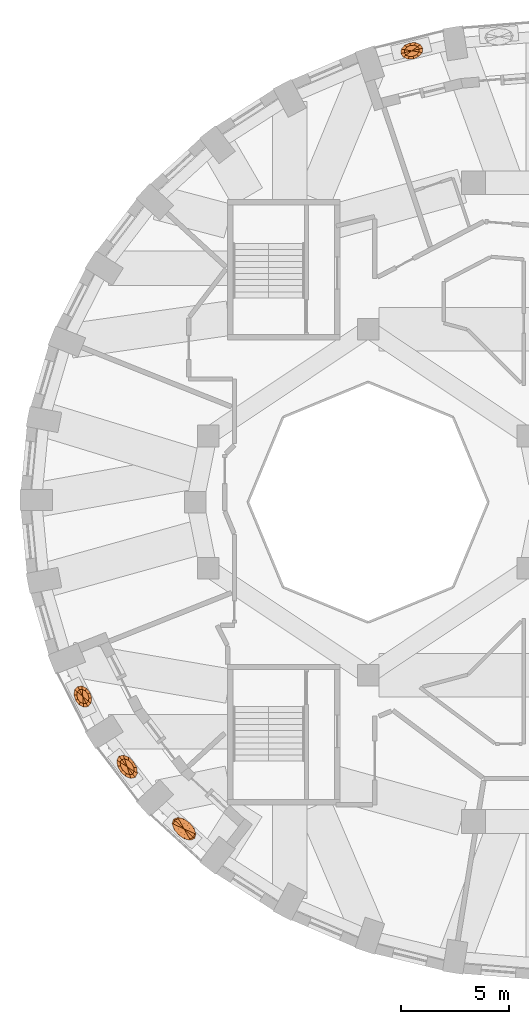
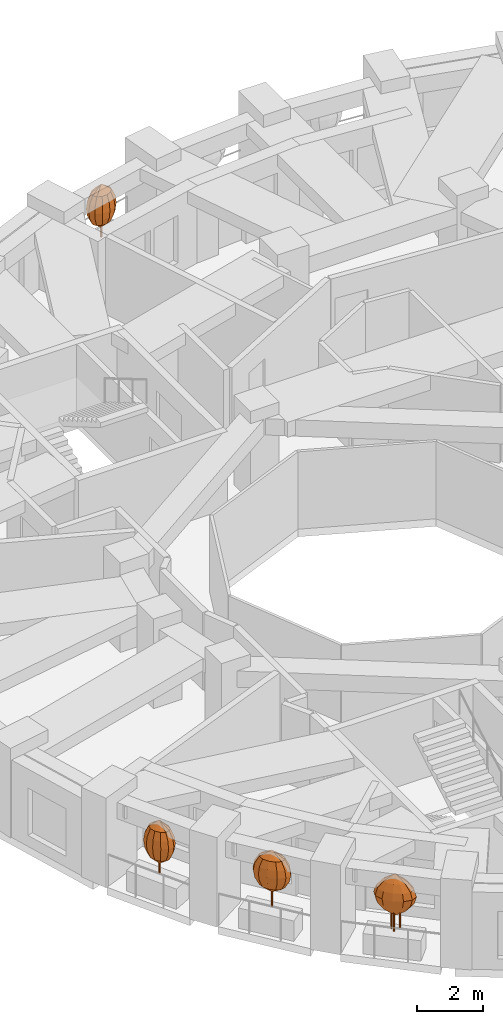
# One storey, part 10 of 11: 4 geographic elements.
"""IFC4 building model written with IfcOpenShell, lengths in metres."""

from ifc_helpers import new_model, si_unit, direction, frame, origin, place, context, subcontext, project, spatial, faceted_brep, material, constituent, constituent_set, type_object, element, save


model = new_model("IFC4")

# Units and contexts
model_context = context("Model", 3, precision=1e-05, world=origin(), true_north=direction((0.0, 1.0)))
body_context = subcontext(model_context, "Body", "Model", "MODEL_VIEW")
ifc_project = project(units=[si_unit("LENGTHUNIT", "METRE"), si_unit("AREAUNIT", "SQUARE_METRE"), si_unit("VOLUMEUNIT", "CUBIC_METRE"), si_unit("PLANEANGLEUNIT", "RADIAN"), si_unit("MASSUNIT", "GRAM", prefix="KILO")], contexts=[model_context])

# Site, building, storey
site_placement = place(None, origin())
site = spatial("IfcSite", under=ifc_project, at=site_placement, CompositionType="ELEMENT")
building_placement = place(site_placement, origin())
building = spatial("IfcBuilding", under=site, at=building_placement, Name="Taillehof Tower", CompositionType="ELEMENT")
storey_placement = place(building_placement, frame((0.0, 0.0, 181.39990234375)))
storey = spatial("IfcBuildingStorey", under=building, at=storey_placement, Name="L51", CompositionType="ELEMENT", Elevation=181.39990234375)

# Geographic elements
ifc_material_1 = material(Name="Tree bark", Category="timber")
ifc_constituent_1 = constituent(ifc_material_1, Name="Trunk", Category="timber")
ifc_material_2 = material(Name="Tree foliage")
ifc_constituent_2 = constituent(ifc_material_2, Name="Crown")
ifc_constituent_set_1 = constituent_set(constituents=[ifc_constituent_1, ifc_constituent_2], Name="Tree TR1 Columnar hornbeam")
geographic_element_type_1 = type_object("IfcGeographicElementType", Name="Tree TR1 Columnar hornbeam", PredefinedType="USERDEFINED", material=ifc_constituent_set_1)
geographic_element_1_placement = place(storey_placement, frame((-19.1455078125, -12.23876953125, 0.75)))
element("IfcGeographicElement", 1, at=geographic_element_1_placement, inside=storey, type_object=geographic_element_type_1, Name="Tree TR1 Columnar hornbeam", ObjectType="TREE", PredefinedType="USERDEFINED", context=body_context, shape_type="Brep", body=[
    faceted_brep([(0.030029296875, 0.0, 0.0), (0.021240234375, 0.021240234375, 0.0), (0.021240234375, 0.021240234375, 1.092529296875), (0.030029296875, 0.0, 1.092529296875), (0.0, 0.030029296875, 0.0), (0.0, 0.030029296875, 1.092529296875), (-0.021240234375, 0.021240234375, 0.0), (-0.021240234375, 0.021240234375, 1.092529296875), (-0.030029296875, 0.0, 0.0), (-0.030029296875, 0.0, 1.092529296875), (-0.021240234375, -0.021240234375, 0.0), (-0.021240234375, -0.021240234375, 1.092529296875), (0.0, -0.030029296875, 0.0), (0.0, -0.030029296875, 1.092529296875), (0.021240234375, -0.021240234375, 0.0), (0.021240234375, -0.021240234375, 1.092529296875)], [[[0, 1, 2, 3]], [[1, 4, 5, 2]], [[4, 6, 7, 5]], [[6, 8, 9, 7]], [[8, 10, 11, 9]], [[10, 12, 13, 11]], [[12, 14, 15, 13]], [[14, 0, 3, 15]], [[14, 12, 10, 8, 6, 4, 1, 0]], [[3, 2, 5, 7, 9, 11, 13, 15]]]),
    faceted_brep([(0.0, 0.0, 0.550048828125), (0.324951171875, -0.211181640625, 0.808349609375), (0.25634765625, -0.3349609375, 0.808349609375), (0.306640625, -0.03076171875, 0.808349609375), (0.2060546875, 0.15771484375, 0.808349609375), (0.05029296875, 0.30419921875, 0.808349609375), (-0.118896484375, 0.368896484375, 0.808349609375), (-0.25634765625, 0.3349609375, 0.808349609375), (-0.324951171875, 0.211181640625, 0.808349609375), (-0.306640625, 0.03076171875, 0.808349609375), (-0.2060546875, -0.15771484375, 0.808349609375), (-0.05029296875, -0.30419921875, 0.808349609375), (0.118896484375, -0.368896484375, 0.808349609375), (0.439697265625, -0.28564453125, 1.066650390625), (0.3466796875, -0.453125, 1.066650390625), (0.414794921875, -0.041748046875, 1.066650390625), (0.27880859375, 0.21337890625, 1.066650390625), (0.068115234375, 0.411376953125, 1.066650390625), (-0.160888671875, 0.4990234375, 1.066650390625), (-0.3466796875, 0.453125, 1.066650390625), (-0.439697265625, 0.28564453125, 1.066650390625), (-0.414794921875, 0.041748046875, 1.066650390625), (-0.27880859375, -0.21337890625, 1.066650390625), (-0.068115234375, -0.411376953125, 1.066650390625), (0.160888671875, -0.4990234375, 1.066650390625), (0.475830078125, -0.30908203125, 1.324951171875), (0.375244140625, -0.490234375, 1.324951171875), (0.448974609375, -0.045166015625, 1.324951171875), (0.3017578125, 0.23095703125, 1.324951171875), (0.07373046875, 0.4453125, 1.324951171875), (-0.174072265625, 0.5400390625, 1.324951171875), (-0.375244140625, 0.490234375, 1.324951171875), (-0.475830078125, 0.30908203125, 1.324951171875), (-0.448974609375, 0.045166015625, 1.324951171875), (-0.3017578125, -0.23095703125, 1.324951171875), (-0.07373046875, -0.4453125, 1.324951171875), (0.174072265625, -0.5400390625, 1.324951171875), (0.439697265625, -0.28564453125, 1.583251953125), (0.3466796875, -0.453125, 1.583251953125), (0.414794921875, -0.041748046875, 1.583251953125), (0.27880859375, 0.21337890625, 1.583251953125), (0.068115234375, 0.411376953125, 1.583251953125), (-0.160888671875, 0.4990234375, 1.583251953125), (-0.3466796875, 0.453125, 1.583251953125), (-0.439697265625, 0.28564453125, 1.583251953125), (-0.414794921875, 0.041748046875, 1.583251953125), (-0.27880859375, -0.21337890625, 1.583251953125), (-0.068115234375, -0.411376953125, 1.583251953125), (0.160888671875, -0.4990234375, 1.583251953125), (0.324951171875, -0.211181640625, 1.841552734375), (0.25634765625, -0.3349609375, 1.841552734375), (0.306640625, -0.03076171875, 1.841552734375), (0.2060546875, 0.15771484375, 1.841552734375), (0.05029296875, 0.30419921875, 1.841552734375), (-0.118896484375, 0.368896484375, 1.841552734375), (-0.25634765625, 0.3349609375, 1.841552734375), (-0.324951171875, 0.211181640625, 1.841552734375), (-0.306640625, 0.03076171875, 1.841552734375), (-0.2060546875, -0.15771484375, 1.841552734375), (-0.05029296875, -0.30419921875, 1.841552734375), (0.118896484375, -0.368896484375, 1.841552734375), (0.0, 0.0, 2.10009765625)], [[[0, 1, 2]], [[0, 3, 1]], [[0, 4, 3]], [[0, 5, 4]], [[0, 6, 5]], [[0, 7, 6]], [[0, 8, 7]], [[0, 9, 8]], [[0, 10, 9]], [[0, 11, 10]], [[0, 12, 11]], [[0, 2, 12]], [[2, 1, 13, 14]], [[1, 3, 15, 13]], [[3, 4, 16, 15]], [[4, 5, 17, 16]], [[5, 6, 18, 17]], [[6, 7, 19, 18]], [[7, 8, 20, 19]], [[8, 9, 21, 20]], [[9, 10, 22, 21]], [[10, 11, 23, 22]], [[11, 12, 24, 23]], [[12, 2, 14, 24]], [[14, 13, 25, 26]], [[13, 15, 27, 25]], [[15, 16, 28, 27]], [[16, 17, 29, 28]], [[17, 18, 30, 29]], [[18, 19, 31, 30]], [[19, 20, 32, 31]], [[20, 21, 33, 32]], [[21, 22, 34, 33]], [[22, 23, 35, 34]], [[23, 24, 36, 35]], [[24, 14, 26, 36]], [[26, 25, 37, 38]], [[25, 27, 39, 37]], [[27, 28, 40, 39]], [[28, 29, 41, 40]], [[29, 30, 42, 41]], [[30, 31, 43, 42]], [[31, 32, 44, 43]], [[32, 33, 45, 44]], [[33, 34, 46, 45]], [[34, 35, 47, 46]], [[35, 36, 48, 47]], [[36, 26, 38, 48]], [[38, 37, 49, 50]], [[37, 39, 51, 49]], [[39, 40, 52, 51]], [[40, 41, 53, 52]], [[41, 42, 54, 53]], [[42, 43, 55, 54]], [[43, 44, 56, 55]], [[44, 45, 57, 56]], [[45, 46, 58, 57]], [[46, 47, 59, 58]], [[47, 48, 60, 59]], [[48, 38, 50, 60]], [[50, 49, 61]], [[49, 51, 61]], [[51, 52, 61]], [[52, 53, 61]], [[53, 54, 61]], [[54, 55, 61]], [[55, 56, 61]], [[56, 57, 61]], [[57, 58, 61]], [[58, 59, 61]], [[59, 60, 61]], [[60, 50, 61]]]),
])
ifc_material_3 = material(Name="Tree bark", Category="timber")
ifc_constituent_3 = constituent(ifc_material_3, Name="Trunk", Category="timber")
ifc_material_4 = material(Name="Tree foliage")
ifc_constituent_4 = constituent(ifc_material_4, Name="Crown")
ifc_constituent_set_2 = constituent_set(constituents=[ifc_constituent_3, ifc_constituent_4], Name="Tree TR2 Fastigiate yew")
geographic_element_type_2 = type_object("IfcGeographicElementType", Name="Tree TR2 Fastigiate yew", PredefinedType="USERDEFINED", material=ifc_constituent_set_2)
geographic_element_2_placement = place(storey_placement, frame((-21.1943359375, -8.99169921875, 0.75)))
element("IfcGeographicElement", 2, at=geographic_element_2_placement, inside=storey, type_object=geographic_element_type_2, Name="Tree TR2 Fastigiate yew", ObjectType="TREE", PredefinedType="USERDEFINED", context=body_context, shape_type="Brep", body=[
    faceted_brep([(0.034912109375, 0.0, 0.0), (0.024658203125, 0.024658203125, 0.0), (0.024658203125, 0.024658203125, 0.909912109375), (0.034912109375, 0.0, 0.909912109375), (0.0, 0.034912109375, 0.0), (0.0, 0.034912109375, 0.909912109375), (-0.024658203125, 0.024658203125, 0.0), (-0.024658203125, 0.024658203125, 0.909912109375), (-0.034912109375, 0.0, 0.0), (-0.034912109375, 0.0, 0.909912109375), (-0.024658203125, -0.024658203125, 0.0), (-0.024658203125, -0.024658203125, 0.909912109375), (0.0, -0.034912109375, 0.0), (0.0, -0.034912109375, 0.909912109375), (0.024658203125, -0.024658203125, 0.0), (0.024658203125, -0.024658203125, 0.909912109375)], [[[0, 1, 2, 3]], [[1, 4, 5, 2]], [[4, 6, 7, 5]], [[6, 8, 9, 7]], [[8, 10, 11, 9]], [[10, 12, 13, 11]], [[12, 14, 15, 13]], [[14, 0, 3, 15]], [[14, 12, 10, 8, 6, 4, 1, 0]], [[3, 2, 5, 7, 9, 11, 13, 15]]]),
    faceted_brep([(0.0, 0.0, 0.35009765625), (0.255859375, -0.21630859375, 0.61669921875), (0.162109375, -0.31787109375, 0.61669921875), (0.28125, -0.056884765625, 0.61669921875), (0.231201171875, 0.117919921875, 0.61669921875), (0.119140625, 0.260986328125, 0.61669921875), (-0.024658203125, 0.334228515625, 0.61669921875), (-0.162109375, 0.31787109375, 0.61669921875), (-0.255859375, 0.21630859375, 0.61669921875), (-0.28125, 0.056884765625, 0.61669921875), (-0.231201171875, -0.117919921875, 0.61669921875), (-0.119140625, -0.260986328125, 0.61669921875), (0.024658203125, -0.334228515625, 0.61669921875), (0.34619140625, -0.292724609375, 0.88330078125), (0.21923828125, -0.43017578125, 0.88330078125), (0.380615234375, -0.076904296875, 0.88330078125), (0.312744140625, 0.159423828125, 0.88330078125), (0.161376953125, 0.35302734375, 0.88330078125), (-0.033447265625, 0.4521484375, 0.88330078125), (-0.21923828125, 0.43017578125, 0.88330078125), (-0.34619140625, 0.292724609375, 0.88330078125), (-0.380615234375, 0.076904296875, 0.88330078125), (-0.312744140625, -0.159423828125, 0.88330078125), (-0.161376953125, -0.35302734375, 0.88330078125), (0.033447265625, -0.4521484375, 0.88330078125), (0.374755859375, -0.31689453125, 1.14990234375), (0.2373046875, -0.465576171875, 1.14990234375), (0.411865234375, -0.083251953125, 1.14990234375), (0.338623046875, 0.172607421875, 1.14990234375), (0.174560546875, 0.38232421875, 1.14990234375), (-0.0361328125, 0.489501953125, 1.14990234375), (-0.2373046875, 0.465576171875, 1.14990234375), (-0.374755859375, 0.31689453125, 1.14990234375), (-0.411865234375, 0.083251953125, 1.14990234375), (-0.338623046875, -0.172607421875, 1.14990234375), (-0.174560546875, -0.38232421875, 1.14990234375), (0.0361328125, -0.489501953125, 1.14990234375), (0.34619140625, -0.292724609375, 1.416748046875), (0.21923828125, -0.43017578125, 1.416748046875), (0.380615234375, -0.076904296875, 1.416748046875), (0.312744140625, 0.159423828125, 1.416748046875), (0.161376953125, 0.35302734375, 1.416748046875), (-0.033447265625, 0.4521484375, 1.416748046875), (-0.21923828125, 0.43017578125, 1.416748046875), (-0.34619140625, 0.292724609375, 1.416748046875), (-0.380615234375, 0.076904296875, 1.416748046875), (-0.312744140625, -0.159423828125, 1.416748046875), (-0.161376953125, -0.35302734375, 1.416748046875), (0.033447265625, -0.4521484375, 1.416748046875), (0.255859375, -0.21630859375, 1.683349609375), (0.162109375, -0.31787109375, 1.683349609375), (0.28125, -0.056884765625, 1.683349609375), (0.231201171875, 0.117919921875, 1.683349609375), (0.119140625, 0.260986328125, 1.683349609375), (-0.024658203125, 0.334228515625, 1.683349609375), (-0.162109375, 0.31787109375, 1.683349609375), (-0.255859375, 0.21630859375, 1.683349609375), (-0.28125, 0.056884765625, 1.683349609375), (-0.231201171875, -0.117919921875, 1.683349609375), (-0.119140625, -0.260986328125, 1.683349609375), (0.024658203125, -0.334228515625, 1.683349609375), (0.0, 0.0, 1.949951171875)], [[[0, 1, 2]], [[0, 3, 1]], [[0, 4, 3]], [[0, 5, 4]], [[0, 6, 5]], [[0, 7, 6]], [[0, 8, 7]], [[0, 9, 8]], [[0, 10, 9]], [[0, 11, 10]], [[0, 12, 11]], [[0, 2, 12]], [[2, 1, 13, 14]], [[1, 3, 15, 13]], [[3, 4, 16, 15]], [[4, 5, 17, 16]], [[5, 6, 18, 17]], [[6, 7, 19, 18]], [[7, 8, 20, 19]], [[8, 9, 21, 20]], [[9, 10, 22, 21]], [[10, 11, 23, 22]], [[11, 12, 24, 23]], [[12, 2, 14, 24]], [[14, 13, 25, 26]], [[13, 15, 27, 25]], [[15, 16, 28, 27]], [[16, 17, 29, 28]], [[17, 18, 30, 29]], [[18, 19, 31, 30]], [[19, 20, 32, 31]], [[20, 21, 33, 32]], [[21, 22, 34, 33]], [[22, 23, 35, 34]], [[23, 24, 36, 35]], [[24, 14, 26, 36]], [[26, 25, 37, 38]], [[25, 27, 39, 37]], [[27, 28, 40, 39]], [[28, 29, 41, 40]], [[29, 30, 42, 41]], [[30, 31, 43, 42]], [[31, 32, 44, 43]], [[32, 33, 45, 44]], [[33, 34, 46, 45]], [[34, 35, 47, 46]], [[35, 36, 48, 47]], [[36, 26, 38, 48]], [[38, 37, 49, 50]], [[37, 39, 51, 49]], [[39, 40, 52, 51]], [[40, 41, 53, 52]], [[41, 42, 54, 53]], [[42, 43, 55, 54]], [[43, 44, 56, 55]], [[44, 45, 57, 56]], [[45, 46, 58, 57]], [[46, 47, 59, 58]], [[47, 48, 60, 59]], [[48, 38, 50, 60]], [[50, 49, 61]], [[49, 51, 61]], [[51, 52, 61]], [[52, 53, 61]], [[53, 54, 61]], [[54, 55, 61]], [[55, 56, 61]], [[56, 57, 61]], [[57, 58, 61]], [[58, 59, 61]], [[59, 60, 61]], [[60, 50, 61]]]),
])
geographic_element_3_placement = place(storey_placement, frame((-5.9794921875, 20.873779296875, 0.75)))
element("IfcGeographicElement", 3, at=geographic_element_3_placement, inside=storey, type_object=geographic_element_type_2, Name="Tree TR2 Fastigiate yew", ObjectType="TREE", PredefinedType="USERDEFINED", context=body_context, shape_type="Brep", body=[
    faceted_brep([(0.034912109375, 0.0, 0.0), (0.024658203125, 0.024658203125, 0.0), (0.024658203125, 0.024658203125, 0.909912109375), (0.034912109375, 0.0, 0.909912109375), (0.0, 0.034912109375, 0.0), (0.0, 0.034912109375, 0.909912109375), (-0.024658203125, 0.024658203125, 0.0), (-0.024658203125, 0.024658203125, 0.909912109375), (-0.034912109375, 0.0, 0.0), (-0.034912109375, 0.0, 0.909912109375), (-0.024658203125, -0.024658203125, 0.0), (-0.024658203125, -0.024658203125, 0.909912109375), (0.0, -0.034912109375, 0.0), (0.0, -0.034912109375, 0.909912109375), (0.024658203125, -0.024658203125, 0.0), (0.024658203125, -0.024658203125, 0.909912109375)], [[[0, 1, 2, 3]], [[1, 4, 5, 2]], [[4, 6, 7, 5]], [[6, 8, 9, 7]], [[8, 10, 11, 9]], [[10, 12, 13, 11]], [[12, 14, 15, 13]], [[14, 0, 3, 15]], [[14, 12, 10, 8, 6, 4, 1, 0]], [[3, 2, 5, 7, 9, 11, 13, 15]]]),
    faceted_brep([(0.0, 0.0, 0.35009765625), (-0.269287109375, -0.19970703125, 0.61669921875), (-0.3466796875, -0.0849609375, 0.61669921875), (-0.119873046875, -0.2607421875, 0.61669921875), (0.061767578125, -0.252197265625, 0.61669921875), (0.226806640625, -0.17578125, 0.61669921875), (0.3310546875, -0.052490234375, 0.61669921875), (0.3466796875, 0.0849609375, 0.61669921875), (0.269287109375, 0.19970703125, 0.61669921875), (0.119873046875, 0.2607421875, 0.61669921875), (-0.061767578125, 0.252197265625, 0.61669921875), (-0.226806640625, 0.17578125, 0.61669921875), (-0.3310546875, 0.052490234375, 0.61669921875), (-0.3642578125, -0.27001953125, 0.88330078125), (-0.468994140625, -0.114990234375, 0.88330078125), (-0.162109375, -0.352783203125, 0.88330078125), (0.08349609375, -0.341064453125, 0.88330078125), (0.306884765625, -0.23779296875, 0.88330078125), (0.44775390625, -0.071044921875, 0.88330078125), (0.468994140625, 0.114990234375, 0.88330078125), (0.3642578125, 0.27001953125, 0.88330078125), (0.162109375, 0.352783203125, 0.88330078125), (-0.08349609375, 0.341064453125, 0.88330078125), (-0.306884765625, 0.23779296875, 0.88330078125), (-0.44775390625, 0.071044921875, 0.88330078125), (-0.394287109375, -0.292236328125, 1.14990234375), (-0.507568359375, -0.12451171875, 1.14990234375), (-0.17529296875, -0.3818359375, 1.14990234375), (0.090576171875, -0.369140625, 1.14990234375), (0.33203125, -0.25732421875, 1.14990234375), (0.484619140625, -0.076904296875, 1.14990234375), (0.507568359375, 0.12451171875, 1.14990234375), (0.394287109375, 0.292236328125, 1.14990234375), (0.17529296875, 0.3818359375, 1.14990234375), (-0.090576171875, 0.369140625, 1.14990234375), (-0.33203125, 0.25732421875, 1.14990234375), (-0.484619140625, 0.076904296875, 1.14990234375), (-0.3642578125, -0.27001953125, 1.416748046875), (-0.468994140625, -0.114990234375, 1.416748046875), (-0.162109375, -0.352783203125, 1.416748046875), (0.08349609375, -0.341064453125, 1.416748046875), (0.306884765625, -0.23779296875, 1.416748046875), (0.44775390625, -0.071044921875, 1.416748046875), (0.468994140625, 0.114990234375, 1.416748046875), (0.3642578125, 0.27001953125, 1.416748046875), (0.162109375, 0.352783203125, 1.416748046875), (-0.08349609375, 0.341064453125, 1.416748046875), (-0.306884765625, 0.23779296875, 1.416748046875), (-0.44775390625, 0.071044921875, 1.416748046875), (-0.269287109375, -0.19970703125, 1.683349609375), (-0.3466796875, -0.0849609375, 1.683349609375), (-0.119873046875, -0.2607421875, 1.683349609375), (0.061767578125, -0.252197265625, 1.683349609375), (0.226806640625, -0.17578125, 1.683349609375), (0.3310546875, -0.052490234375, 1.683349609375), (0.3466796875, 0.0849609375, 1.683349609375), (0.269287109375, 0.19970703125, 1.683349609375), (0.119873046875, 0.2607421875, 1.683349609375), (-0.061767578125, 0.252197265625, 1.683349609375), (-0.226806640625, 0.17578125, 1.683349609375), (-0.3310546875, 0.052490234375, 1.683349609375), (0.0, 0.0, 1.949951171875)], [[[0, 1, 2]], [[0, 3, 1]], [[0, 4, 3]], [[0, 5, 4]], [[0, 6, 5]], [[0, 7, 6]], [[0, 8, 7]], [[0, 9, 8]], [[0, 10, 9]], [[0, 11, 10]], [[0, 12, 11]], [[0, 2, 12]], [[2, 1, 13, 14]], [[1, 3, 15, 13]], [[3, 4, 16, 15]], [[4, 5, 17, 16]], [[5, 6, 18, 17]], [[6, 7, 19, 18]], [[7, 8, 20, 19]], [[8, 9, 21, 20]], [[9, 10, 22, 21]], [[10, 11, 23, 22]], [[11, 12, 24, 23]], [[12, 2, 14, 24]], [[14, 13, 25, 26]], [[13, 15, 27, 25]], [[15, 16, 28, 27]], [[16, 17, 29, 28]], [[17, 18, 30, 29]], [[18, 19, 31, 30]], [[19, 20, 32, 31]], [[20, 21, 33, 32]], [[21, 22, 34, 33]], [[22, 23, 35, 34]], [[23, 24, 36, 35]], [[24, 14, 26, 36]], [[26, 25, 37, 38]], [[25, 27, 39, 37]], [[27, 28, 40, 39]], [[28, 29, 41, 40]], [[29, 30, 42, 41]], [[30, 31, 43, 42]], [[31, 32, 44, 43]], [[32, 33, 45, 44]], [[33, 34, 46, 45]], [[34, 35, 47, 46]], [[35, 36, 48, 47]], [[36, 26, 38, 48]], [[38, 37, 49, 50]], [[37, 39, 51, 49]], [[39, 40, 52, 51]], [[40, 41, 53, 52]], [[41, 42, 54, 53]], [[42, 43, 55, 54]], [[43, 44, 56, 55]], [[44, 45, 57, 56]], [[45, 46, 58, 57]], [[46, 47, 59, 58]], [[47, 48, 60, 59]], [[48, 38, 50, 60]], [[50, 49, 61]], [[49, 51, 61]], [[51, 52, 61]], [[52, 53, 61]], [[53, 54, 61]], [[54, 55, 61]], [[55, 56, 61]], [[56, 57, 61]], [[57, 58, 61]], [[58, 59, 61]], [[59, 60, 61]], [[60, 50, 61]]]),
])
ifc_material_5 = material(Name="Tree bark", Category="timber")
ifc_constituent_5 = constituent(ifc_material_5, Name="Trunk", Category="timber")
ifc_material_6 = material(Name="Tree foliage")
ifc_constituent_6 = constituent(ifc_material_6, Name="Crown")
ifc_constituent_set_3 = constituent_set(constituents=[ifc_constituent_5, ifc_constituent_6], Name="Tree TR3 Multi-stem serviceberry")
geographic_element_type_3 = type_object("IfcGeographicElementType", Name="Tree TR3 Multi-stem serviceberry", PredefinedType="USERDEFINED", material=ifc_constituent_set_3)
geographic_element_4_placement = place(storey_placement, frame((-16.51220703125, -15.110107421875, 0.75)))
element("IfcGeographicElement", 4, at=geographic_element_4_placement, inside=storey, type_object=geographic_element_type_3, Name="Tree TR3 Multi-stem serviceberry", ObjectType="TREE", PredefinedType="USERDEFINED", context=body_context, shape_type="Brep", body=[
    faceted_brep([(0.195068359375, 0.0, 0.0), (0.186767578125, 0.0205078125, 0.0), (0.186767578125, 0.0205078125, 1.04248046875), (0.195068359375, 0.0, 1.04248046875), (0.166259765625, 0.02880859375, 0.0), (0.166259765625, 0.02880859375, 1.04248046875), (0.145751953125, 0.0205078125, 0.0), (0.145751953125, 0.0205078125, 1.04248046875), (0.137451171875, 0.0, 0.0), (0.137451171875, 0.0, 1.04248046875), (0.145751953125, -0.0205078125, 0.0), (0.145751953125, -0.0205078125, 1.04248046875), (0.166259765625, -0.02880859375, 0.0), (0.166259765625, -0.02880859375, 1.04248046875), (0.186767578125, -0.0205078125, 0.0), (0.186767578125, -0.0205078125, 1.04248046875)], [[[0, 1, 2, 3]], [[1, 4, 5, 2]], [[4, 6, 7, 5]], [[6, 8, 9, 7]], [[8, 10, 11, 9]], [[10, 12, 13, 11]], [[12, 14, 15, 13]], [[14, 0, 3, 15]], [[14, 12, 10, 8, 6, 4, 1, 0]], [[3, 2, 5, 7, 9, 11, 13, 15]]]),
    faceted_brep([(-0.05419921875, 0.082275390625, 0.0), (-0.062744140625, 0.102783203125, 0.0), (-0.062744140625, 0.102783203125, 1.04248046875), (-0.05419921875, 0.082275390625, 1.04248046875), (-0.0830078125, 0.111083984375, 0.0), (-0.0830078125, 0.111083984375, 1.04248046875), (-0.103515625, 0.102783203125, 0.0), (-0.103515625, 0.102783203125, 1.04248046875), (-0.112060546875, 0.082275390625, 0.0), (-0.112060546875, 0.082275390625, 1.04248046875), (-0.103515625, 0.061767578125, 0.0), (-0.103515625, 0.061767578125, 1.04248046875), (-0.0830078125, 0.053466796875, 0.0), (-0.0830078125, 0.053466796875, 1.04248046875), (-0.062744140625, 0.061767578125, 0.0), (-0.062744140625, 0.061767578125, 1.04248046875)], [[[0, 1, 2, 3]], [[1, 4, 5, 2]], [[4, 6, 7, 5]], [[6, 8, 9, 7]], [[8, 10, 11, 9]], [[10, 12, 13, 11]], [[12, 14, 15, 13]], [[14, 0, 3, 15]], [[14, 12, 10, 8, 6, 4, 1, 0]], [[3, 2, 5, 7, 9, 11, 13, 15]]]),
    faceted_brep([(-0.05419921875, -0.082275390625, 0.0), (-0.062744140625, -0.061767578125, 0.0), (-0.062744140625, -0.061767578125, 1.04248046875), (-0.05419921875, -0.082275390625, 1.04248046875), (-0.0830078125, -0.053466796875, 0.0), (-0.0830078125, -0.053466796875, 1.04248046875), (-0.103515625, -0.061767578125, 0.0), (-0.103515625, -0.061767578125, 1.04248046875), (-0.112060546875, -0.082275390625, 0.0), (-0.112060546875, -0.082275390625, 1.04248046875), (-0.103515625, -0.102783203125, 0.0), (-0.103515625, -0.102783203125, 1.04248046875), (-0.0830078125, -0.111083984375, 0.0), (-0.0830078125, -0.111083984375, 1.04248046875), (-0.062744140625, -0.102783203125, 0.0), (-0.062744140625, -0.102783203125, 1.04248046875)], [[[0, 1, 2, 3]], [[1, 4, 5, 2]], [[4, 6, 7, 5]], [[6, 8, 9, 7]], [[8, 10, 11, 9]], [[10, 12, 13, 11]], [[12, 14, 15, 13]], [[14, 0, 3, 15]], [[14, 12, 10, 8, 6, 4, 1, 0]], [[3, 2, 5, 7, 9, 11, 13, 15]]]),
    faceted_brep([(0.0, 0.0, 0.5), (0.317626953125, -0.142822265625, 0.75830078125), (0.28173828125, -0.2578125, 0.75830078125), (0.2685546875, 0.010498046875, 0.75830078125), (0.147216796875, 0.1611328125, 0.75830078125), (-0.013427734375, 0.268310546875, 0.75830078125), (-0.17041015625, 0.3037109375, 0.75830078125), (-0.28173828125, 0.2578125, 0.75830078125), (-0.317626953125, 0.142822265625, 0.75830078125), (-0.2685546875, -0.010498046875, 0.75830078125), (-0.147216796875, -0.1611328125, 0.75830078125), (0.013427734375, -0.268310546875, 0.75830078125), (0.17041015625, -0.3037109375, 0.75830078125), (0.492919921875, -0.221435546875, 1.0166015625), (0.437255859375, -0.400146484375, 1.0166015625), (0.416748046875, 0.016357421875, 1.0166015625), (0.228515625, 0.25, 1.0166015625), (-0.020751953125, 0.41650390625, 1.0166015625), (-0.264404296875, 0.471435546875, 1.0166015625), (-0.437255859375, 0.400146484375, 1.0166015625), (-0.492919921875, 0.221435546875, 1.0166015625), (-0.416748046875, -0.016357421875, 1.0166015625), (-0.228515625, -0.25, 1.0166015625), (0.020751953125, -0.41650390625, 1.0166015625), (0.264404296875, -0.471435546875, 1.0166015625), (0.55322265625, -0.24853515625, 1.27490234375), (0.49072265625, -0.448974609375, 1.27490234375), (0.467529296875, 0.018310546875, 1.27490234375), (0.256591796875, 0.2802734375, 1.27490234375), (-0.023193359375, 0.46728515625, 1.27490234375), (-0.296630859375, 0.52880859375, 1.27490234375), (-0.49072265625, 0.448974609375, 1.27490234375), (-0.55322265625, 0.24853515625, 1.27490234375), (-0.467529296875, -0.018310546875, 1.27490234375), (-0.256591796875, -0.2802734375, 1.27490234375), (0.023193359375, -0.46728515625, 1.27490234375), (0.296630859375, -0.52880859375, 1.27490234375), (0.492919921875, -0.221435546875, 1.533447265625), (0.437255859375, -0.400146484375, 1.533447265625), (0.416748046875, 0.016357421875, 1.533447265625), (0.228515625, 0.25, 1.533447265625), (-0.020751953125, 0.41650390625, 1.533447265625), (-0.264404296875, 0.471435546875, 1.533447265625), (-0.437255859375, 0.400146484375, 1.533447265625), (-0.492919921875, 0.221435546875, 1.533447265625), (-0.416748046875, -0.016357421875, 1.533447265625), (-0.228515625, -0.25, 1.533447265625), (0.020751953125, -0.41650390625, 1.533447265625), (0.264404296875, -0.471435546875, 1.533447265625), (0.317626953125, -0.142822265625, 1.791748046875), (0.28173828125, -0.2578125, 1.791748046875), (0.2685546875, 0.010498046875, 1.791748046875), (0.147216796875, 0.1611328125, 1.791748046875), (-0.013427734375, 0.268310546875, 1.791748046875), (-0.17041015625, 0.3037109375, 1.791748046875), (-0.28173828125, 0.2578125, 1.791748046875), (-0.317626953125, 0.142822265625, 1.791748046875), (-0.2685546875, -0.010498046875, 1.791748046875), (-0.147216796875, -0.1611328125, 1.791748046875), (0.013427734375, -0.268310546875, 1.791748046875), (0.17041015625, -0.3037109375, 1.791748046875), (0.0, 0.0, 2.050048828125)], [[[0, 1, 2]], [[0, 3, 1]], [[0, 4, 3]], [[0, 5, 4]], [[0, 6, 5]], [[0, 7, 6]], [[0, 8, 7]], [[0, 9, 8]], [[0, 10, 9]], [[0, 11, 10]], [[0, 12, 11]], [[0, 2, 12]], [[2, 1, 13, 14]], [[1, 3, 15, 13]], [[3, 4, 16, 15]], [[4, 5, 17, 16]], [[5, 6, 18, 17]], [[6, 7, 19, 18]], [[7, 8, 20, 19]], [[8, 9, 21, 20]], [[9, 10, 22, 21]], [[10, 11, 23, 22]], [[11, 12, 24, 23]], [[12, 2, 14, 24]], [[14, 13, 25, 26]], [[13, 15, 27, 25]], [[15, 16, 28, 27]], [[16, 17, 29, 28]], [[17, 18, 30, 29]], [[18, 19, 31, 30]], [[19, 20, 32, 31]], [[20, 21, 33, 32]], [[21, 22, 34, 33]], [[22, 23, 35, 34]], [[23, 24, 36, 35]], [[24, 14, 26, 36]], [[26, 25, 37, 38]], [[25, 27, 39, 37]], [[27, 28, 40, 39]], [[28, 29, 41, 40]], [[29, 30, 42, 41]], [[30, 31, 43, 42]], [[31, 32, 44, 43]], [[32, 33, 45, 44]], [[33, 34, 46, 45]], [[34, 35, 47, 46]], [[35, 36, 48, 47]], [[36, 26, 38, 48]], [[38, 37, 49, 50]], [[37, 39, 51, 49]], [[39, 40, 52, 51]], [[40, 41, 53, 52]], [[41, 42, 54, 53]], [[42, 43, 55, 54]], [[43, 44, 56, 55]], [[44, 45, 57, 56]], [[45, 46, 58, 57]], [[46, 47, 59, 58]], [[47, 48, 60, 59]], [[48, 38, 50, 60]], [[50, 49, 61]], [[49, 51, 61]], [[51, 52, 61]], [[52, 53, 61]], [[53, 54, 61]], [[54, 55, 61]], [[55, 56, 61]], [[56, 57, 61]], [[57, 58, 61]], [[58, 59, 61]], [[59, 60, 61]], [[60, 50, 61]]]),
])

save(model, "model.ifc")
